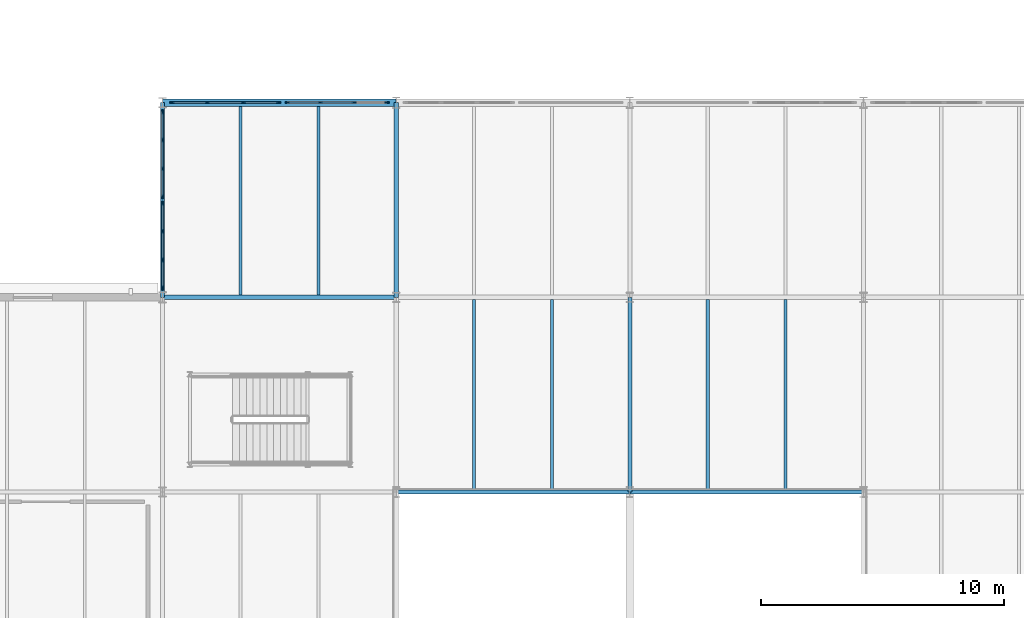
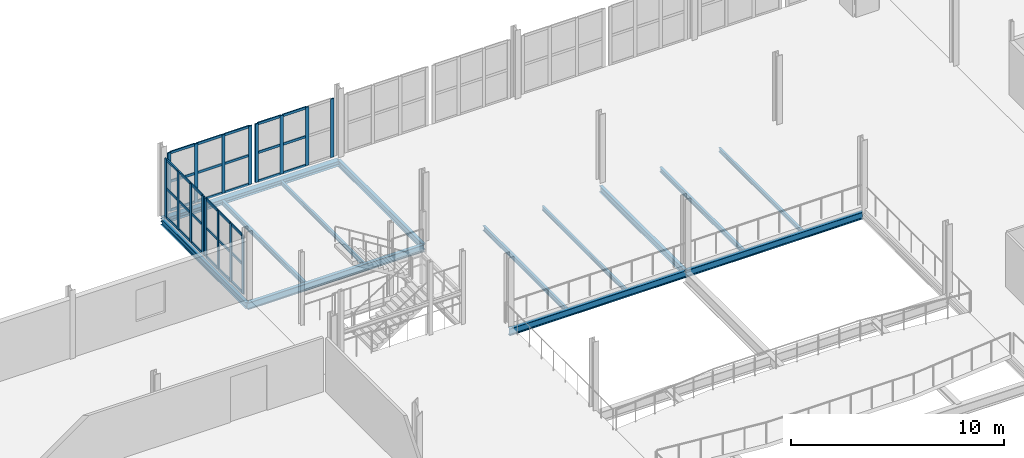
# One storey, part 48 of 85: 49 members, 13 beams, 4 elements without a shape of their own.
"""IFC4 building model written with IfcOpenShell, lengths in metres."""

from ifc_helpers import new_model, si_unit, direction, frame, origin, origin_2d, place, context, subcontext, project, spatial, rectangle, i_section, extrude, material, layer, layer_set, material_profile, profile_set, type_object, element, aggregate, save


model = new_model("IFC4")

# Units and contexts
model_context = context("Model", 3, precision=1e-05, world=origin(), true_north=direction((0.0, 1.0)))
body_context = subcontext(model_context, "Body", "Model", "MODEL_VIEW")
ifc_project = project(units=[si_unit("LENGTHUNIT", "METRE"), si_unit("AREAUNIT", "SQUARE_METRE"), si_unit("VOLUMEUNIT", "CUBIC_METRE"), si_unit("PLANEANGLEUNIT", "RADIAN"), si_unit("MASSUNIT", "GRAM", prefix="KILO")], contexts=[model_context])

# Site, building, storey
site_placement = place(None, origin())
site = spatial("IfcSite", under=ifc_project, at=site_placement, CompositionType="ELEMENT")
building_placement = place(site_placement, origin())
building = spatial("IfcBuilding", under=site, at=building_placement, Name="Alderhovde Museum", CompositionType="ELEMENT")
storey_placement = place(building_placement, frame((0.0, 0.0, 8.699951171875)))
storey = spatial("IfcBuildingStorey", under=building, at=storey_placement, Name="L02", CompositionType="ELEMENT", Elevation=8.699951171875)

# Beams
ifc_material_1 = material(Name="Steel S355J2", Category="steel")
ifc_material_profile_1 = material_profile(ifc_material_1, i_section(OverallWidth=0.169921875, OverallDepth=0.360107421875, WebThickness=0.008056640625, FlangeThickness=0.0126953125, FilletRadius=0.01806640625, at=origin_2d()), Name="IPE 360")
ifc_profile_set_1 = profile_set([ifc_material_profile_1], Name="Steel S355J2")
beam_type_1 = type_object("IfcBeamType", Name="BM-IPE360", PredefinedType="BEAM", material=ifc_profile_set_1)
for number, where, z_axis, x_axis, name in (
    (1, (76.800048828125, 80.0, -0.43994140625), (0.0, 1.0, 0.0), (-1.0, 0.0, 0.0), "L02 Grid Beam X=76.8 (80.0 TO 88.0)"),
    (2, (86.39990234375, 80.0, -0.43994140625), (0.0, 1.0, 0.0), (-1.0, 0.0, 0.0), "L02 Grid Beam X=86.4 (80.0 TO 88.0)"),
    (3, (96.0, 72.0, -0.43994140625), (0.0, 1.0, 0.0), (-1.0, 0.0, 0.0), "L02 Grid Beam X=96.0 (72.0 TO 80.0)"),
):
    element("IfcBeam", number, at=place(storey_placement, frame(where, z_axis=z_axis, x_axis=x_axis)), inside=storey, type_object=beam_type_1, Name=name, PredefinedType="BEAM", context=body_context, shape_type="SweptSolid", body=[
        extrude(i_section(OverallWidth=0.169921875, OverallDepth=0.360107421875, WebThickness=0.008056640625, FlangeThickness=0.0126953125, FilletRadius=0.01806640625, at=origin_2d()), origin(), (0.0, 0.0, 1.0), 8.0),
    ])
ifc_material_2 = material(Name="Steel S355J2", Category="steel")
ifc_material_profile_2 = material_profile(ifc_material_2, i_section(OverallWidth=0.179931640625, OverallDepth=0.39990234375, WebThickness=0.008544921875, FlangeThickness=0.013427734375, FilletRadius=0.02099609375, at=origin_2d()), Name="IPE 400")
ifc_profile_set_2 = profile_set([ifc_material_profile_2], Name="Steel S355J2")
beam_type_2 = type_object("IfcBeamType", Name="BM-IPE400", PredefinedType="BEAM", material=ifc_profile_set_2)
for number, where, z_axis, x_axis, name in (
    (4, (86.39990234375, 72.0, -0.4599609375), (1.0, 0.0, 0.0), (0.0, 1.0, 0.0), "L02 Grid Beam Y=72.0 (86.4 TO 96.0)"),
    (5, (96.0, 72.0, -0.4599609375), (1.0, 0.0, 0.0), (0.0, 1.0, 0.0), "L02 Grid Beam Y=72.0 (96.0 TO 105.6)"),
):
    element("IfcBeam", number, at=place(storey_placement, frame(where, z_axis=z_axis, x_axis=x_axis)), inside=storey, type_object=beam_type_2, Name=name, PredefinedType="BEAM", context=body_context, shape_type="SweptSolid", body=[
        extrude(i_section(OverallWidth=0.179931640625, OverallDepth=0.39990234375, WebThickness=0.008544921875, FlangeThickness=0.013427734375, FilletRadius=0.02099609375, at=origin_2d()), origin(), (0.0, 0.0, 1.0), 9.60009765625),
    ])
beam_1_placement = place(storey_placement, frame((76.800048828125, 80.0, -0.4599609375), z_axis=(1.0, 0.0, 0.0), x_axis=(0.0, 1.0, 0.0)))
element("IfcBeam", 6, at=beam_1_placement, inside=storey, type_object=beam_type_2, Name="L02 Grid Beam Y=80.0 (76.8 TO 86.4)", PredefinedType="BEAM", context=body_context, shape_type="SweptSolid", body=[
    extrude(i_section(OverallWidth=0.179931640625, OverallDepth=0.39990234375, WebThickness=0.008544921875, FlangeThickness=0.013427734375, FilletRadius=0.02099609375, at=origin_2d()), origin(), (0.0, 0.0, 1.0), 9.599853515625),
])

# Curtain wall, members
ifc_material_3 = material(Name="Triple-Glazed Bronze-Anodised Curtain Wall", Category="glass")
ifc_layer_1 = layer(ifc_material_3, 0.179931640625)
ifc_layer_set_1 = layer_set([ifc_layer_1], Name="Triple-Glazed Bronze-Anodised Curtain Wall")
curtain_wall_type_1 = type_object("IfcCurtainWallType", Name="CW-UNIT-445x336", PredefinedType="USERDEFINED", material=ifc_layer_set_1)
curtain_wall_1_placement = place(storey_placement, origin())
curtain_wall_1 = element("IfcCurtainWall", 7, at=curtain_wall_1_placement, inside=storey, type_object=curtain_wall_type_1, Name="L02 Unitised Curtain Wall 27", ObjectType="UNITISED CURTAIN WALL", PredefinedType="USERDEFINED")
ifc_material_4 = material(Name="Bronze-Anodised Aluminium EN AW-6063-T6", Category="aluminium")
ifc_material_profile_3 = material_profile(ifc_material_4, rectangle(XDim=0.06494140625, YDim=0.179931640625, at=origin_2d()), Name="MULLION 65x180")
ifc_profile_set_3 = profile_set([ifc_material_profile_3], Name="Bronze-Anodised Aluminium EN AW-6063-T6")
member_type_1 = type_object("IfcMemberType", Name="CWM-65x180", PredefinedType="MULLION", material=ifc_profile_set_3)
member_1_placement = place(storey_placement, frame((77.1826171875, 88.0, 0.0), z_axis=(0.0, 0.0, 1.0), x_axis=(0.0, 1.0, 0.0)))
member_1 = element("IfcMember", 8, at=member_1_placement, type_object=member_type_1, Name="CW10 mullion 1", PredefinedType="MULLION", context=body_context, shape_type="SweptSolid", body=[
    extrude(rectangle(XDim=0.06494140625, YDim=0.179931640625, at=origin_2d()), origin(), (0.0, 0.0, 1.0), 3.360107421875),
])
member_2_placement = place(storey_placement, frame((78.63330078125, 88.0, 0.0), z_axis=(0.0, 0.0, 1.0), x_axis=(0.0, 1.0, 0.0)))
member_2 = element("IfcMember", 9, at=member_2_placement, type_object=member_type_1, Name="CW10 mullion 2", PredefinedType="MULLION", context=body_context, shape_type="SweptSolid", body=[
    extrude(rectangle(XDim=0.06494140625, YDim=0.179931640625, at=origin_2d()), origin(), (0.0, 0.0, 1.0), 3.360107421875),
])
member_3_placement = place(storey_placement, frame((80.11669921875, 88.0, 0.0), z_axis=(0.0, 0.0, 1.0), x_axis=(0.0, 1.0, 0.0)))
member_3 = element("IfcMember", 10, at=member_3_placement, type_object=member_type_1, Name="CW10 mullion 3", PredefinedType="MULLION", context=body_context, shape_type="SweptSolid", body=[
    extrude(rectangle(XDim=0.06494140625, YDim=0.179931640625, at=origin_2d()), origin(), (0.0, 0.0, 1.0), 3.360107421875),
])
member_4_placement = place(storey_placement, frame((81.5673828125, 88.0, 0.0), z_axis=(0.0, 0.0, 1.0), x_axis=(0.0, 1.0, 0.0)))
member_4 = element("IfcMember", 11, at=member_4_placement, type_object=member_type_1, Name="CW10 mullion 4", PredefinedType="MULLION", context=body_context, shape_type="SweptSolid", body=[
    extrude(rectangle(XDim=0.06494140625, YDim=0.179931640625, at=origin_2d()), origin(), (0.0, 0.0, 1.0), 3.360107421875),
])

ifc_material_5 = material(Name="Triple-Glazed Bronze-Anodised Curtain Wall", Category="glass")
ifc_layer_2 = layer(ifc_material_5, 0.179931640625)
ifc_layer_set_2 = layer_set([ifc_layer_2], Name="Triple-Glazed Bronze-Anodised Curtain Wall")
curtain_wall_type_2 = type_object("IfcCurtainWallType", Name="CW-UNIT-415x336", PredefinedType="USERDEFINED", material=ifc_layer_set_2)
curtain_wall_2_placement = place(storey_placement, origin())
curtain_wall_2 = element("IfcCurtainWall", 12, at=curtain_wall_2_placement, inside=storey, type_object=curtain_wall_type_2, Name="L02 Unitised Curtain Wall 28", ObjectType="UNITISED CURTAIN WALL", PredefinedType="USERDEFINED")
member_5_placement = place(storey_placement, frame((81.9326171875, 88.0, 0.0), z_axis=(0.0, 0.0, 1.0), x_axis=(0.0, 1.0, 0.0)))
member_5 = element("IfcMember", 13, at=member_5_placement, type_object=member_type_1, Name="CW11 mullion 1", PredefinedType="MULLION", context=body_context, shape_type="SweptSolid", body=[
    extrude(rectangle(XDim=0.06494140625, YDim=0.179931640625, at=origin_2d()), origin(), (0.0, 0.0, 1.0), 3.360107421875),
])
member_6_placement = place(storey_placement, frame((83.283447265625, 88.0, 0.0), z_axis=(0.0, 0.0, 1.0), x_axis=(0.0, 1.0, 0.0)))
member_6 = element("IfcMember", 14, at=member_6_placement, type_object=member_type_1, Name="CW11 mullion 2", PredefinedType="MULLION", context=body_context, shape_type="SweptSolid", body=[
    extrude(rectangle(XDim=0.06494140625, YDim=0.179931640625, at=origin_2d()), origin(), (0.0, 0.0, 1.0), 3.360107421875),
])
member_7_placement = place(storey_placement, frame((84.666748046875, 88.0, 0.0), z_axis=(0.0, 0.0, 1.0), x_axis=(0.0, 1.0, 0.0)))
member_7 = element("IfcMember", 15, at=member_7_placement, type_object=member_type_1, Name="CW11 mullion 3", PredefinedType="MULLION", context=body_context, shape_type="SweptSolid", body=[
    extrude(rectangle(XDim=0.06494140625, YDim=0.179931640625, at=origin_2d()), origin(), (0.0, 0.0, 1.0), 3.360107421875),
])
member_8_placement = place(storey_placement, frame((86.017578125, 88.0, 0.0), z_axis=(0.0, 0.0, 1.0), x_axis=(0.0, 1.0, 0.0)))
member_8 = element("IfcMember", 16, at=member_8_placement, type_object=member_type_1, Name="CW11 mullion 4", PredefinedType="MULLION", context=body_context, shape_type="SweptSolid", body=[
    extrude(rectangle(XDim=0.06494140625, YDim=0.179931640625, at=origin_2d()), origin(), (0.0, 0.0, 1.0), 3.360107421875),
])

ifc_material_6 = material(Name="Triple-Glazed Bronze-Anodised Curtain Wall", Category="glass")
ifc_layer_3 = layer(ifc_material_6, 0.179931640625)
ifc_layer_set_3 = layer_set([ifc_layer_3], Name="Triple-Glazed Bronze-Anodised Curtain Wall")
curtain_wall_type_3 = type_object("IfcCurtainWallType", Name="CW-STIC-355x336", PredefinedType="USERDEFINED", material=ifc_layer_set_3)
curtain_wall_3_placement = place(storey_placement, origin())
curtain_wall_3 = element("IfcCurtainWall", 17, at=curtain_wall_3_placement, inside=storey, type_object=curtain_wall_type_3, Name="L02 Stick Curtain Wall 43", ObjectType="STICK CURTAIN WALL", PredefinedType="USERDEFINED")
member_9_placement = place(storey_placement, frame((76.800048828125, 80.382568359375, 0.0), z_axis=(0.0, 0.0, 1.0), x_axis=(-1.0, 0.0, 0.0)))
member_9 = element("IfcMember", 18, at=member_9_placement, type_object=member_type_1, Name="CW13 mullion 1", PredefinedType="MULLION", context=body_context, shape_type="SweptSolid", body=[
    extrude(rectangle(XDim=0.06494140625, YDim=0.179931640625, at=origin_2d()), origin(), (0.0, 0.0, 1.0), 3.360107421875),
])
member_10_placement = place(storey_placement, frame((76.800048828125, 81.533447265625, 0.0), z_axis=(0.0, 0.0, 1.0), x_axis=(-1.0, 0.0, 0.0)))
member_10 = element("IfcMember", 19, at=member_10_placement, type_object=member_type_1, Name="CW13 mullion 2", PredefinedType="MULLION", context=body_context, shape_type="SweptSolid", body=[
    extrude(rectangle(XDim=0.06494140625, YDim=0.179931640625, at=origin_2d()), origin(), (0.0, 0.0, 1.0), 3.360107421875),
])
member_11_placement = place(storey_placement, frame((76.800048828125, 82.716552734375, 0.0), z_axis=(0.0, 0.0, 1.0), x_axis=(-1.0, 0.0, 0.0)))
member_11 = element("IfcMember", 20, at=member_11_placement, type_object=member_type_1, Name="CW13 mullion 3", PredefinedType="MULLION", context=body_context, shape_type="SweptSolid", body=[
    extrude(rectangle(XDim=0.06494140625, YDim=0.179931640625, at=origin_2d()), origin(), (0.0, 0.0, 1.0), 3.360107421875),
])
member_12_placement = place(storey_placement, frame((76.800048828125, 83.867431640625, 0.0), z_axis=(0.0, 0.0, 1.0), x_axis=(-1.0, 0.0, 0.0)))
member_12 = element("IfcMember", 21, at=member_12_placement, type_object=member_type_1, Name="CW13 mullion 4", PredefinedType="MULLION", context=body_context, shape_type="SweptSolid", body=[
    extrude(rectangle(XDim=0.06494140625, YDim=0.179931640625, at=origin_2d()), origin(), (0.0, 0.0, 1.0), 3.360107421875),
])

curtain_wall_4_placement = place(storey_placement, origin())
curtain_wall_4 = element("IfcCurtainWall", 22, at=curtain_wall_4_placement, inside=storey, type_object=curtain_wall_type_3, Name="L02 Stick Curtain Wall 44", ObjectType="STICK CURTAIN WALL", PredefinedType="USERDEFINED")
member_13_placement = place(storey_placement, frame((76.800048828125, 84.132568359375, 0.0), z_axis=(0.0, 0.0, 1.0), x_axis=(-1.0, 0.0, 0.0)))
member_13 = element("IfcMember", 23, at=member_13_placement, type_object=member_type_1, Name="CW13 mullion 1", PredefinedType="MULLION", context=body_context, shape_type="SweptSolid", body=[
    extrude(rectangle(XDim=0.06494140625, YDim=0.179931640625, at=origin_2d()), origin(), (0.0, 0.0, 1.0), 3.360107421875),
])
member_14_placement = place(storey_placement, frame((76.800048828125, 85.283447265625, 0.0), z_axis=(0.0, 0.0, 1.0), x_axis=(-1.0, 0.0, 0.0)))
member_14 = element("IfcMember", 24, at=member_14_placement, type_object=member_type_1, Name="CW13 mullion 2", PredefinedType="MULLION", context=body_context, shape_type="SweptSolid", body=[
    extrude(rectangle(XDim=0.06494140625, YDim=0.179931640625, at=origin_2d()), origin(), (0.0, 0.0, 1.0), 3.360107421875),
])
member_15_placement = place(storey_placement, frame((76.800048828125, 86.466552734375, 0.0), z_axis=(0.0, 0.0, 1.0), x_axis=(-1.0, 0.0, 0.0)))
member_15 = element("IfcMember", 25, at=member_15_placement, type_object=member_type_1, Name="CW13 mullion 3", PredefinedType="MULLION", context=body_context, shape_type="SweptSolid", body=[
    extrude(rectangle(XDim=0.06494140625, YDim=0.179931640625, at=origin_2d()), origin(), (0.0, 0.0, 1.0), 3.360107421875),
])
member_16_placement = place(storey_placement, frame((76.800048828125, 87.617431640625, 0.0), z_axis=(0.0, 0.0, 1.0), x_axis=(-1.0, 0.0, 0.0)))
member_16 = element("IfcMember", 26, at=member_16_placement, type_object=member_type_1, Name="CW13 mullion 4", PredefinedType="MULLION", context=body_context, shape_type="SweptSolid", body=[
    extrude(rectangle(XDim=0.06494140625, YDim=0.179931640625, at=origin_2d()), origin(), (0.0, 0.0, 1.0), 3.360107421875),
])

# Member
ifc_material_7 = material(Name="Bronze-Anodised Aluminium EN AW-6063-T6", Category="aluminium")
ifc_material_profile_4 = material_profile(ifc_material_7, rectangle(XDim=0.06494140625, YDim=0.139892578125, at=origin_2d()), Name="TRANSOM 65x140")
ifc_profile_set_4 = profile_set([ifc_material_profile_4], Name="Bronze-Anodised Aluminium EN AW-6063-T6")
member_type_2 = type_object("IfcMemberType", Name="CWT-65x140", PredefinedType="USERDEFINED", material=ifc_profile_set_4)
member_17_placement = place(storey_placement, frame((77.215087890625, 88.0, 0.032470703125), z_axis=(1.0, 0.0, 0.0), x_axis=(0.0, 1.0, 0.0)))
member_17 = element("IfcMember", 27, at=member_17_placement, type_object=member_type_2, Name="CW10 transom 1.1", ObjectType="TRANSOM", PredefinedType="USERDEFINED", context=body_context, shape_type="SweptSolid", body=[
    extrude(rectangle(XDim=0.06494140625, YDim=0.139892578125, at=origin_2d()), origin(), (0.0, 0.0, 1.0), 1.3857421875),
])

member_18_placement = place(storey_placement, frame((77.215087890625, 88.0, 1.679931640625), z_axis=(1.0, 0.0, 0.0), x_axis=(0.0, 1.0, 0.0)))
member_18 = element("IfcMember", 28, at=member_18_placement, type_object=member_type_2, Name="CW10 transom 1.2", ObjectType="TRANSOM", PredefinedType="USERDEFINED", context=body_context, shape_type="SweptSolid", body=[
    extrude(rectangle(XDim=0.06494140625, YDim=0.139892578125, at=origin_2d()), origin(), (0.0, 0.0, 1.0), 1.3857421875),
])

member_19_placement = place(storey_placement, frame((77.215087890625, 88.0, 3.32763671875), z_axis=(1.0, 0.0, 0.0), x_axis=(0.0, 1.0, 0.0)))
member_19 = element("IfcMember", 29, at=member_19_placement, type_object=member_type_2, Name="CW10 transom 1.3", ObjectType="TRANSOM", PredefinedType="USERDEFINED", context=body_context, shape_type="SweptSolid", body=[
    extrude(rectangle(XDim=0.06494140625, YDim=0.139892578125, at=origin_2d()), origin(), (0.0, 0.0, 1.0), 1.3857421875),
])

member_20_placement = place(storey_placement, frame((78.665771484375, 88.0, 0.032470703125), z_axis=(1.0, 0.0, 0.0), x_axis=(0.0, 1.0, 0.0)))
member_20 = element("IfcMember", 30, at=member_20_placement, type_object=member_type_2, Name="CW10 transom 2.1", ObjectType="TRANSOM", PredefinedType="USERDEFINED", context=body_context, shape_type="SweptSolid", body=[
    extrude(rectangle(XDim=0.06494140625, YDim=0.139892578125, at=origin_2d()), origin(), (0.0, 0.0, 1.0), 1.41845703125),
])

member_21_placement = place(storey_placement, frame((78.665771484375, 88.0, 1.679931640625), z_axis=(1.0, 0.0, 0.0), x_axis=(0.0, 1.0, 0.0)))
member_21 = element("IfcMember", 31, at=member_21_placement, type_object=member_type_2, Name="CW10 transom 2.2", ObjectType="TRANSOM", PredefinedType="USERDEFINED", context=body_context, shape_type="SweptSolid", body=[
    extrude(rectangle(XDim=0.06494140625, YDim=0.139892578125, at=origin_2d()), origin(), (0.0, 0.0, 1.0), 1.41845703125),
])

member_22_placement = place(storey_placement, frame((78.665771484375, 88.0, 3.32763671875), z_axis=(1.0, 0.0, 0.0), x_axis=(0.0, 1.0, 0.0)))
member_22 = element("IfcMember", 32, at=member_22_placement, type_object=member_type_2, Name="CW10 transom 2.3", ObjectType="TRANSOM", PredefinedType="USERDEFINED", context=body_context, shape_type="SweptSolid", body=[
    extrude(rectangle(XDim=0.06494140625, YDim=0.139892578125, at=origin_2d()), origin(), (0.0, 0.0, 1.0), 1.41845703125),
])

member_23_placement = place(storey_placement, frame((80.149169921875, 88.0, 0.032470703125), z_axis=(1.0, 0.0, 0.0), x_axis=(0.0, 1.0, 0.0)))
member_23 = element("IfcMember", 33, at=member_23_placement, type_object=member_type_2, Name="CW10 transom 3.1", ObjectType="TRANSOM", PredefinedType="USERDEFINED", context=body_context, shape_type="SweptSolid", body=[
    extrude(rectangle(XDim=0.06494140625, YDim=0.139892578125, at=origin_2d()), origin(), (0.0, 0.0, 1.0), 1.3857421875),
])

member_24_placement = place(storey_placement, frame((80.149169921875, 88.0, 1.679931640625), z_axis=(1.0, 0.0, 0.0), x_axis=(0.0, 1.0, 0.0)))
member_24 = element("IfcMember", 34, at=member_24_placement, type_object=member_type_2, Name="CW10 transom 3.2", ObjectType="TRANSOM", PredefinedType="USERDEFINED", context=body_context, shape_type="SweptSolid", body=[
    extrude(rectangle(XDim=0.06494140625, YDim=0.139892578125, at=origin_2d()), origin(), (0.0, 0.0, 1.0), 1.3857421875),
])

member_25_placement = place(storey_placement, frame((80.149169921875, 88.0, 3.32763671875), z_axis=(1.0, 0.0, 0.0), x_axis=(0.0, 1.0, 0.0)))
member_25 = element("IfcMember", 35, at=member_25_placement, type_object=member_type_2, Name="CW10 transom 3.3", ObjectType="TRANSOM", PredefinedType="USERDEFINED", context=body_context, shape_type="SweptSolid", body=[
    extrude(rectangle(XDim=0.06494140625, YDim=0.139892578125, at=origin_2d()), origin(), (0.0, 0.0, 1.0), 1.3857421875),
])

aggregate(curtain_wall_1, [member_1, member_2, member_3, member_4, member_17, member_18, member_19, member_20, member_21, member_22, member_23, member_24, member_25])

member_26_placement = place(storey_placement, frame((81.965087890625, 88.0, 0.032470703125), z_axis=(1.0, 0.0, 0.0), x_axis=(0.0, 1.0, 0.0)))
member_26 = element("IfcMember", 36, at=member_26_placement, type_object=member_type_2, Name="CW11 transom 1.1", ObjectType="TRANSOM", PredefinedType="USERDEFINED", context=body_context, shape_type="SweptSolid", body=[
    extrude(rectangle(XDim=0.06494140625, YDim=0.139892578125, at=origin_2d()), origin(), (0.0, 0.0, 1.0), 1.28564453125),
])

member_27_placement = place(storey_placement, frame((81.965087890625, 88.0, 1.679931640625), z_axis=(1.0, 0.0, 0.0), x_axis=(0.0, 1.0, 0.0)))
member_27 = element("IfcMember", 37, at=member_27_placement, type_object=member_type_2, Name="CW11 transom 1.2", ObjectType="TRANSOM", PredefinedType="USERDEFINED", context=body_context, shape_type="SweptSolid", body=[
    extrude(rectangle(XDim=0.06494140625, YDim=0.139892578125, at=origin_2d()), origin(), (0.0, 0.0, 1.0), 1.28564453125),
])

member_28_placement = place(storey_placement, frame((81.965087890625, 88.0, 3.32763671875), z_axis=(1.0, 0.0, 0.0), x_axis=(0.0, 1.0, 0.0)))
member_28 = element("IfcMember", 38, at=member_28_placement, type_object=member_type_2, Name="CW11 transom 1.3", ObjectType="TRANSOM", PredefinedType="USERDEFINED", context=body_context, shape_type="SweptSolid", body=[
    extrude(rectangle(XDim=0.06494140625, YDim=0.139892578125, at=origin_2d()), origin(), (0.0, 0.0, 1.0), 1.28564453125),
])

member_29_placement = place(storey_placement, frame((83.31591796875, 88.0, 0.032470703125), z_axis=(1.0, 0.0, 0.0), x_axis=(0.0, 1.0, 0.0)))
member_29 = element("IfcMember", 39, at=member_29_placement, type_object=member_type_2, Name="CW11 transom 2.1", ObjectType="TRANSOM", PredefinedType="USERDEFINED", context=body_context, shape_type="SweptSolid", body=[
    extrude(rectangle(XDim=0.06494140625, YDim=0.139892578125, at=origin_2d()), origin(), (0.0, 0.0, 1.0), 1.318359375),
])

member_30_placement = place(storey_placement, frame((83.31591796875, 88.0, 1.679931640625), z_axis=(1.0, 0.0, 0.0), x_axis=(0.0, 1.0, 0.0)))
member_30 = element("IfcMember", 40, at=member_30_placement, type_object=member_type_2, Name="CW11 transom 2.2", ObjectType="TRANSOM", PredefinedType="USERDEFINED", context=body_context, shape_type="SweptSolid", body=[
    extrude(rectangle(XDim=0.06494140625, YDim=0.139892578125, at=origin_2d()), origin(), (0.0, 0.0, 1.0), 1.318359375),
])

member_31_placement = place(storey_placement, frame((83.31591796875, 88.0, 3.32763671875), z_axis=(1.0, 0.0, 0.0), x_axis=(0.0, 1.0, 0.0)))
member_31 = element("IfcMember", 41, at=member_31_placement, type_object=member_type_2, Name="CW11 transom 2.3", ObjectType="TRANSOM", PredefinedType="USERDEFINED", context=body_context, shape_type="SweptSolid", body=[
    extrude(rectangle(XDim=0.06494140625, YDim=0.139892578125, at=origin_2d()), origin(), (0.0, 0.0, 1.0), 1.318359375),
])

aggregate(curtain_wall_2, [member_5, member_6, member_7, member_8, member_26, member_27, member_28, member_29, member_30, member_31])

member_32_placement = place(storey_placement, frame((76.800048828125, 80.4150390625, 0.032470703125), z_axis=(0.0, 1.0, 0.0), x_axis=(-1.0, 0.0, 0.0)))
member_32 = element("IfcMember", 42, at=member_32_placement, type_object=member_type_2, Name="CW13 transom 1.1", ObjectType="TRANSOM", PredefinedType="USERDEFINED", context=body_context, shape_type="SweptSolid", body=[
    extrude(rectangle(XDim=0.06494140625, YDim=0.139892578125, at=origin_2d()), origin(), (0.0, 0.0, 1.0), 1.085693359375),
])

member_33_placement = place(storey_placement, frame((76.800048828125, 80.4150390625, 1.679931640625), z_axis=(0.0, 1.0, 0.0), x_axis=(-1.0, 0.0, 0.0)))
member_33 = element("IfcMember", 43, at=member_33_placement, type_object=member_type_2, Name="CW13 transom 1.2", ObjectType="TRANSOM", PredefinedType="USERDEFINED", context=body_context, shape_type="SweptSolid", body=[
    extrude(rectangle(XDim=0.06494140625, YDim=0.139892578125, at=origin_2d()), origin(), (0.0, 0.0, 1.0), 1.085693359375),
])

member_34_placement = place(storey_placement, frame((76.800048828125, 80.4150390625, 3.32763671875), z_axis=(0.0, 1.0, 0.0), x_axis=(-1.0, 0.0, 0.0)))
member_34 = element("IfcMember", 44, at=member_34_placement, type_object=member_type_2, Name="CW13 transom 1.3", ObjectType="TRANSOM", PredefinedType="USERDEFINED", context=body_context, shape_type="SweptSolid", body=[
    extrude(rectangle(XDim=0.06494140625, YDim=0.139892578125, at=origin_2d()), origin(), (0.0, 0.0, 1.0), 1.085693359375),
])

member_35_placement = place(storey_placement, frame((76.800048828125, 81.56591796875, 0.032470703125), z_axis=(0.0, 1.0, 0.0), x_axis=(-1.0, 0.0, 0.0)))
member_35 = element("IfcMember", 45, at=member_35_placement, type_object=member_type_2, Name="CW13 transom 2.1", ObjectType="TRANSOM", PredefinedType="USERDEFINED", context=body_context, shape_type="SweptSolid", body=[
    extrude(rectangle(XDim=0.06494140625, YDim=0.139892578125, at=origin_2d()), origin(), (0.0, 0.0, 1.0), 1.1181640625),
])

member_36_placement = place(storey_placement, frame((76.800048828125, 81.56591796875, 1.679931640625), z_axis=(0.0, 1.0, 0.0), x_axis=(-1.0, 0.0, 0.0)))
member_36 = element("IfcMember", 46, at=member_36_placement, type_object=member_type_2, Name="CW13 transom 2.2", ObjectType="TRANSOM", PredefinedType="USERDEFINED", context=body_context, shape_type="SweptSolid", body=[
    extrude(rectangle(XDim=0.06494140625, YDim=0.139892578125, at=origin_2d()), origin(), (0.0, 0.0, 1.0), 1.1181640625),
])

member_37_placement = place(storey_placement, frame((76.800048828125, 81.56591796875, 3.32763671875), z_axis=(0.0, 1.0, 0.0), x_axis=(-1.0, 0.0, 0.0)))
member_37 = element("IfcMember", 47, at=member_37_placement, type_object=member_type_2, Name="CW13 transom 2.3", ObjectType="TRANSOM", PredefinedType="USERDEFINED", context=body_context, shape_type="SweptSolid", body=[
    extrude(rectangle(XDim=0.06494140625, YDim=0.139892578125, at=origin_2d()), origin(), (0.0, 0.0, 1.0), 1.1181640625),
])

member_38_placement = place(storey_placement, frame((76.800048828125, 82.749267578125, 0.032470703125), z_axis=(0.0, 1.0, 0.0), x_axis=(-1.0, 0.0, 0.0)))
member_38 = element("IfcMember", 48, at=member_38_placement, type_object=member_type_2, Name="CW13 transom 3.1", ObjectType="TRANSOM", PredefinedType="USERDEFINED", context=body_context, shape_type="SweptSolid", body=[
    extrude(rectangle(XDim=0.06494140625, YDim=0.139892578125, at=origin_2d()), origin(), (0.0, 0.0, 1.0), 1.085693359375),
])

member_39_placement = place(storey_placement, frame((76.800048828125, 82.749267578125, 1.679931640625), z_axis=(0.0, 1.0, 0.0), x_axis=(-1.0, 0.0, 0.0)))
member_39 = element("IfcMember", 49, at=member_39_placement, type_object=member_type_2, Name="CW13 transom 3.2", ObjectType="TRANSOM", PredefinedType="USERDEFINED", context=body_context, shape_type="SweptSolid", body=[
    extrude(rectangle(XDim=0.06494140625, YDim=0.139892578125, at=origin_2d()), origin(), (0.0, 0.0, 1.0), 1.085693359375),
])

member_40_placement = place(storey_placement, frame((76.800048828125, 82.749267578125, 3.32763671875), z_axis=(0.0, 1.0, 0.0), x_axis=(-1.0, 0.0, 0.0)))
member_40 = element("IfcMember", 50, at=member_40_placement, type_object=member_type_2, Name="CW13 transom 3.3", ObjectType="TRANSOM", PredefinedType="USERDEFINED", context=body_context, shape_type="SweptSolid", body=[
    extrude(rectangle(XDim=0.06494140625, YDim=0.139892578125, at=origin_2d()), origin(), (0.0, 0.0, 1.0), 1.085693359375),
])

aggregate(curtain_wall_3, [member_9, member_10, member_11, member_12, member_32, member_33, member_34, member_35, member_36, member_37, member_38, member_39, member_40])

member_41_placement = place(storey_placement, frame((76.800048828125, 84.1650390625, 0.032470703125), z_axis=(0.0, 1.0, 0.0), x_axis=(-1.0, 0.0, 0.0)))
member_41 = element("IfcMember", 51, at=member_41_placement, type_object=member_type_2, Name="CW13 transom 1.1", ObjectType="TRANSOM", PredefinedType="USERDEFINED", context=body_context, shape_type="SweptSolid", body=[
    extrude(rectangle(XDim=0.06494140625, YDim=0.139892578125, at=origin_2d()), origin(), (0.0, 0.0, 1.0), 1.085693359375),
])

member_42_placement = place(storey_placement, frame((76.800048828125, 84.1650390625, 1.679931640625), z_axis=(0.0, 1.0, 0.0), x_axis=(-1.0, 0.0, 0.0)))
member_42 = element("IfcMember", 52, at=member_42_placement, type_object=member_type_2, Name="CW13 transom 1.2", ObjectType="TRANSOM", PredefinedType="USERDEFINED", context=body_context, shape_type="SweptSolid", body=[
    extrude(rectangle(XDim=0.06494140625, YDim=0.139892578125, at=origin_2d()), origin(), (0.0, 0.0, 1.0), 1.085693359375),
])

member_43_placement = place(storey_placement, frame((76.800048828125, 84.1650390625, 3.32763671875), z_axis=(0.0, 1.0, 0.0), x_axis=(-1.0, 0.0, 0.0)))
member_43 = element("IfcMember", 53, at=member_43_placement, type_object=member_type_2, Name="CW13 transom 1.3", ObjectType="TRANSOM", PredefinedType="USERDEFINED", context=body_context, shape_type="SweptSolid", body=[
    extrude(rectangle(XDim=0.06494140625, YDim=0.139892578125, at=origin_2d()), origin(), (0.0, 0.0, 1.0), 1.085693359375),
])

member_44_placement = place(storey_placement, frame((76.800048828125, 85.31591796875, 0.032470703125), z_axis=(0.0, 1.0, 0.0), x_axis=(-1.0, 0.0, 0.0)))
member_44 = element("IfcMember", 54, at=member_44_placement, type_object=member_type_2, Name="CW13 transom 2.1", ObjectType="TRANSOM", PredefinedType="USERDEFINED", context=body_context, shape_type="SweptSolid", body=[
    extrude(rectangle(XDim=0.06494140625, YDim=0.139892578125, at=origin_2d()), origin(), (0.0, 0.0, 1.0), 1.1181640625),
])

member_45_placement = place(storey_placement, frame((76.800048828125, 85.31591796875, 1.679931640625), z_axis=(0.0, 1.0, 0.0), x_axis=(-1.0, 0.0, 0.0)))
member_45 = element("IfcMember", 55, at=member_45_placement, type_object=member_type_2, Name="CW13 transom 2.2", ObjectType="TRANSOM", PredefinedType="USERDEFINED", context=body_context, shape_type="SweptSolid", body=[
    extrude(rectangle(XDim=0.06494140625, YDim=0.139892578125, at=origin_2d()), origin(), (0.0, 0.0, 1.0), 1.1181640625),
])

member_46_placement = place(storey_placement, frame((76.800048828125, 85.31591796875, 3.32763671875), z_axis=(0.0, 1.0, 0.0), x_axis=(-1.0, 0.0, 0.0)))
member_46 = element("IfcMember", 56, at=member_46_placement, type_object=member_type_2, Name="CW13 transom 2.3", ObjectType="TRANSOM", PredefinedType="USERDEFINED", context=body_context, shape_type="SweptSolid", body=[
    extrude(rectangle(XDim=0.06494140625, YDim=0.139892578125, at=origin_2d()), origin(), (0.0, 0.0, 1.0), 1.1181640625),
])

member_47_placement = place(storey_placement, frame((76.800048828125, 86.499267578125, 0.032470703125), z_axis=(0.0, 1.0, 0.0), x_axis=(-1.0, 0.0, 0.0)))
member_47 = element("IfcMember", 57, at=member_47_placement, type_object=member_type_2, Name="CW13 transom 3.1", ObjectType="TRANSOM", PredefinedType="USERDEFINED", context=body_context, shape_type="SweptSolid", body=[
    extrude(rectangle(XDim=0.06494140625, YDim=0.139892578125, at=origin_2d()), origin(), (0.0, 0.0, 1.0), 1.085693359375),
])

member_48_placement = place(storey_placement, frame((76.800048828125, 86.499267578125, 1.679931640625), z_axis=(0.0, 1.0, 0.0), x_axis=(-1.0, 0.0, 0.0)))
member_48 = element("IfcMember", 58, at=member_48_placement, type_object=member_type_2, Name="CW13 transom 3.2", ObjectType="TRANSOM", PredefinedType="USERDEFINED", context=body_context, shape_type="SweptSolid", body=[
    extrude(rectangle(XDim=0.06494140625, YDim=0.139892578125, at=origin_2d()), origin(), (0.0, 0.0, 1.0), 1.085693359375),
])

member_49_placement = place(storey_placement, frame((76.800048828125, 86.499267578125, 3.32763671875), z_axis=(0.0, 1.0, 0.0), x_axis=(-1.0, 0.0, 0.0)))
member_49 = element("IfcMember", 59, at=member_49_placement, type_object=member_type_2, Name="CW13 transom 3.3", ObjectType="TRANSOM", PredefinedType="USERDEFINED", context=body_context, shape_type="SweptSolid", body=[
    extrude(rectangle(XDim=0.06494140625, YDim=0.139892578125, at=origin_2d()), origin(), (0.0, 0.0, 1.0), 1.085693359375),
])

aggregate(curtain_wall_4, [member_13, member_14, member_15, member_16, member_41, member_42, member_43, member_44, member_45, member_46, member_47, member_48, member_49])

# Beams
ifc_material_8 = material(Name="Steel S355J2", Category="steel")
ifc_material_profile_5 = material_profile(ifc_material_8, i_section(OverallWidth=0.1201171875, OverallDepth=0.239990234375, WebThickness=0.006103515625, FlangeThickness=0.009765625, FilletRadius=0.014892578125, at=origin_2d()), Name="IPE 240")
ifc_profile_set_5 = profile_set([ifc_material_profile_5], Name="Steel S355J2")
beam_type_3 = type_object("IfcBeamType", Name="JST-IPE240", PredefinedType="JOIST", material=ifc_profile_set_5)
beam_2_placement = place(storey_placement, frame((83.199951171875, 80.090087890625, -0.3798828125), z_axis=(0.0, 1.0, 0.0), x_axis=(-1.0, 0.0, 0.0)))
element("IfcBeam", 60, at=beam_2_placement, inside=storey, type_object=beam_type_3, Name="L02 Composite Joist X=83.2 (80.0 TO 88.0)", PredefinedType="JOIST", context=body_context, shape_type="SweptSolid", body=[
    extrude(i_section(OverallWidth=0.1201171875, OverallDepth=0.239990234375, WebThickness=0.006103515625, FlangeThickness=0.009765625, FilletRadius=0.014892578125, at=origin_2d()), origin(), (0.0, 0.0, 1.0), 7.760009765625),
])
for number, where, z_axis, x_axis, name in (
    (61, (92.800048828125, 72.090087890625, -0.3798828125), (0.0, 1.0, 0.0), (-1.0, 0.0, 0.0), "L02 Composite Joist X=92.8 (72.0 TO 80.0)"),
    (62, (102.39990234375, 72.090087890625, -0.3798828125), (0.0, 1.0, 0.0), (-1.0, 0.0, 0.0), "L02 Composite Joist X=102.4 (72.0 TO 80.0)"),
):
    element("IfcBeam", number, at=place(storey_placement, frame(where, z_axis=z_axis, x_axis=x_axis)), inside=storey, type_object=beam_type_3, Name=name, PredefinedType="JOIST", context=body_context, shape_type="SweptSolid", body=[
        extrude(i_section(OverallWidth=0.1201171875, OverallDepth=0.239990234375, WebThickness=0.006103515625, FlangeThickness=0.009765625, FilletRadius=0.014892578125, at=origin_2d()), origin(), (0.0, 0.0, 1.0), 7.81982421875),
    ])
ifc_material_9 = material(Name="Steel S355J2", Category="steel")
ifc_material_profile_6 = material_profile(ifc_material_9, i_section(OverallWidth=0.135009765625, OverallDepth=0.27001953125, WebThickness=0.006591796875, FlangeThickness=0.01025390625, FilletRadius=0.014892578125, at=origin_2d()), Name="IPE 270")
ifc_profile_set_6 = profile_set([ifc_material_profile_6], Name="Steel S355J2")
beam_type_4 = type_object("IfcBeamType", Name="JST-IPE270", PredefinedType="JOIST", material=ifc_profile_set_6)
beam_3_placement = place(storey_placement, frame((80.0, 80.090087890625, -0.39501953125), z_axis=(0.0, 1.0, 0.0), x_axis=(-1.0, 0.0, 0.0)))
element("IfcBeam", 63, at=beam_3_placement, inside=storey, type_object=beam_type_4, Name="L02 Composite Joist X=80.0 (80.0 TO 88.0)", PredefinedType="JOIST", context=body_context, shape_type="SweptSolid", body=[
    extrude(i_section(OverallWidth=0.135009765625, OverallDepth=0.27001953125, WebThickness=0.006591796875, FlangeThickness=0.01025390625, FilletRadius=0.014892578125, at=origin_2d()), origin(), (0.0, 0.0, 1.0), 7.760009765625),
])
for number, where, z_axis, x_axis, name in (
    (64, (89.60009765625, 72.090087890625, -0.39501953125), (0.0, 1.0, 0.0), (-1.0, 0.0, 0.0), "L02 Composite Joist X=89.6 (72.0 TO 80.0)"),
    (65, (99.199951171875, 72.090087890625, -0.39501953125), (0.0, 1.0, 0.0), (-1.0, 0.0, 0.0), "L02 Composite Joist X=99.2 (72.0 TO 80.0)"),
):
    element("IfcBeam", number, at=place(storey_placement, frame(where, z_axis=z_axis, x_axis=x_axis)), inside=storey, type_object=beam_type_4, Name=name, PredefinedType="JOIST", context=body_context, shape_type="SweptSolid", body=[
        extrude(i_section(OverallWidth=0.135009765625, OverallDepth=0.27001953125, WebThickness=0.006591796875, FlangeThickness=0.01025390625, FilletRadius=0.014892578125, at=origin_2d()), origin(), (0.0, 0.0, 1.0), 7.81982421875),
    ])
ifc_material_10 = material(Name="Steel S355J2", Category="steel")
ifc_material_profile_7 = material_profile(ifc_material_10, i_section(OverallWidth=0.300048828125, OverallDepth=0.2900390625, WebThickness=0.008544921875, FlangeThickness=0.013916015625, FilletRadius=0.027099609375, at=origin_2d()), Name="HEA 300")
ifc_profile_set_7 = profile_set([ifc_material_profile_7], Name="Steel S355J2")
beam_type_5 = type_object("IfcBeamType", Name="SPD-HEA300", PredefinedType="SPANDREL", material=ifc_profile_set_7)
beam_4_placement = place(storey_placement, frame((76.800048828125, 88.0, -0.405029296875), z_axis=(1.0, 0.0, 0.0), x_axis=(0.0, 1.0, 0.0)))
element("IfcBeam", 66, at=beam_4_placement, inside=storey, type_object=beam_type_5, Name="L02 Grid Beam Y=88.0 (76.8 TO 86.4)", PredefinedType="SPANDREL", context=body_context, shape_type="SweptSolid", body=[
    extrude(i_section(OverallWidth=0.300048828125, OverallDepth=0.2900390625, WebThickness=0.008544921875, FlangeThickness=0.013916015625, FilletRadius=0.027099609375, at=origin_2d()), origin(), (0.0, 0.0, 1.0), 9.599853515625),
])

save(model, "model.ifc")
